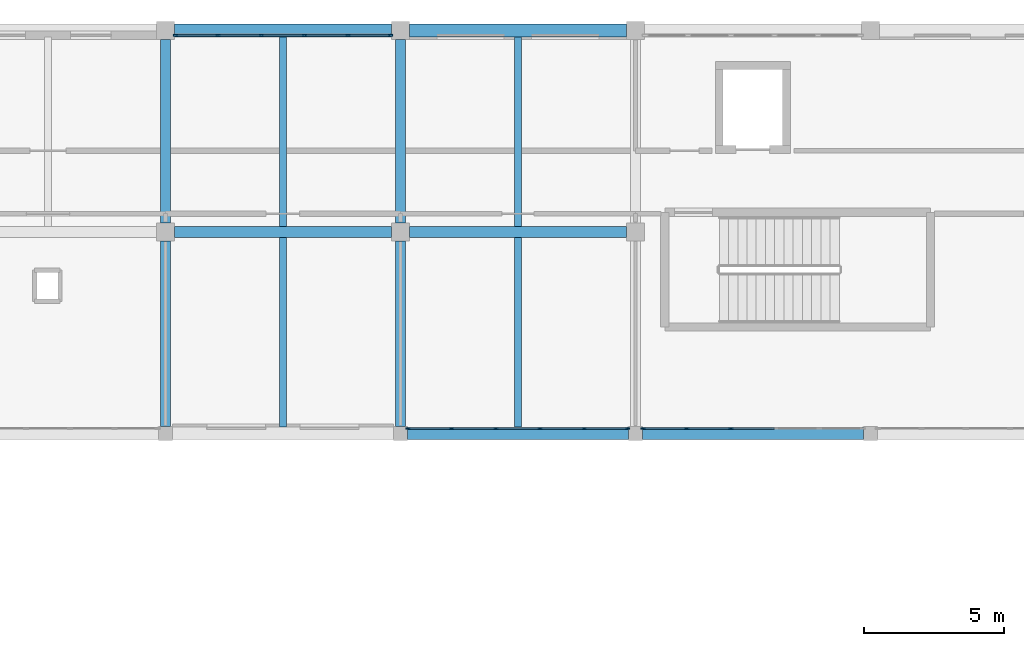
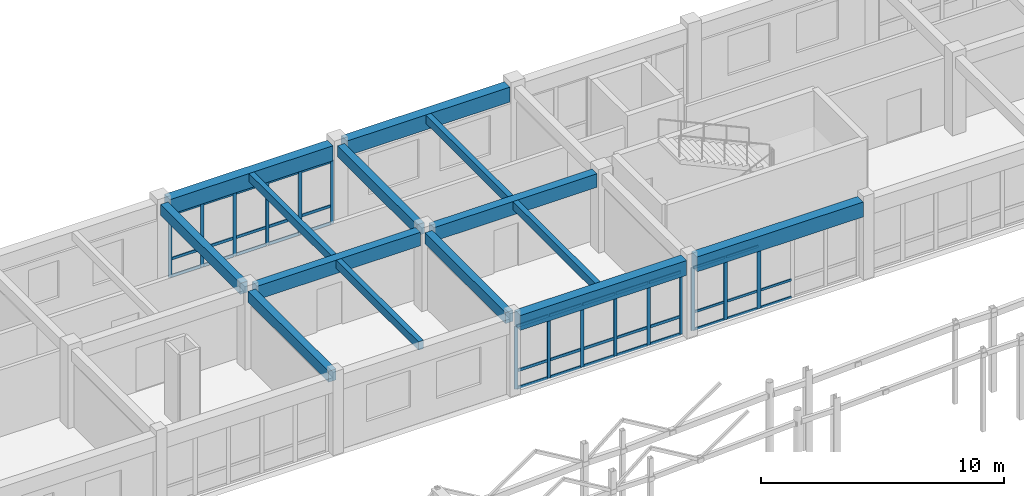
# One storey, part 37 of 89: 53 members, 14 beams, 3 elements without a shape of their own.
"""IFC4 building model written with IfcOpenShell, lengths in metres."""

from ifc_helpers import new_model, si_unit, direction, frame, origin, origin_2d, place, context, subcontext, project, spatial, rectangle, extrude, material, material_profile, profile_set, type_object, element, aggregate, save


model = new_model("IFC4")

# Units and contexts
model_context = context("Model", 3, precision=1e-05, world=origin(), true_north=direction((0.0, 1.0)))
body_context = subcontext(model_context, "Body", "Model", "MODEL_VIEW")
ifc_project = project(units=[si_unit("LENGTHUNIT", "METRE"), si_unit("AREAUNIT", "SQUARE_METRE"), si_unit("VOLUMEUNIT", "CUBIC_METRE"), si_unit("PLANEANGLEUNIT", "RADIAN"), si_unit("MASSUNIT", "GRAM", prefix="KILO")], contexts=[model_context])

# Site, building, storey
site_placement = place(None, origin())
site = spatial("IfcSite", under=ifc_project, at=site_placement, CompositionType="ELEMENT")
building_placement = place(site_placement, origin())
building = spatial("IfcBuilding", under=site, at=building_placement, Name="Malvenik Polytechnic", CompositionType="ELEMENT")
storey_placement = place(building_placement, frame((0.0, 0.0, 13.5)))
storey = spatial("IfcBuildingStorey", under=building, at=storey_placement, Name="L03", CompositionType="ELEMENT", Elevation=13.5)

# Curtain wall, members
ifc_material_1 = material(Name="Anodised aluminium 6060-T6", Category="aluminium")
curtain_wall_type = type_object("IfcCurtainWallType", Name="ARC-CW-CW-02", PredefinedType="NOTDEFINED", material=ifc_material_1)
curtain_wall_1_placement = place(storey_placement, origin())
curtain_wall_1 = element("IfcCurtainWall", 1, at=curtain_wall_1_placement, inside=storey, type_object=curtain_wall_type, Name="Unitised Curtain Wall CW-02 L03 #170", PredefinedType="NOTDEFINED")
ifc_material_2 = material(Name="Anodised aluminium", Category="aluminium")
ifc_material_profile_1 = material_profile(ifc_material_2, rectangle(XDim=0.06005859375, YDim=0.159912109375, at=origin_2d()), Name="ALU MULLION 60x160")
ifc_profile_set_1 = profile_set([ifc_material_profile_1], Name="Anodised aluminium")
member_type_1 = type_object("IfcMemberType", Name="ARC-CWM-160", PredefinedType="MULLION", material=ifc_profile_set_1)
member_1_placement = place(storey_placement, frame((50.1220703125, 115.3701171875, 0.0), z_axis=(0.0, 0.0, 1.0), x_axis=(0.0, -1.0, 0.0)))
member_1 = element("IfcMember", 2, at=member_1_placement, type_object=member_type_1, Name="CW-02 mullion 1", PredefinedType="MULLION", context=body_context, shape_type="SweptSolid", body=[
    extrude(rectangle(XDim=0.06005859375, YDim=0.159912109375, at=origin_2d()), origin(), (0.0, 0.0, 1.0), 3.159912109375),
])
member_2_placement = place(storey_placement, frame((48.5712890625, 115.3701171875, 0.0), z_axis=(0.0, 0.0, 1.0), x_axis=(0.0, -1.0, 0.0)))
member_2 = element("IfcMember", 3, at=member_2_placement, type_object=member_type_1, Name="CW-02 mullion 2", PredefinedType="MULLION", context=body_context, shape_type="SweptSolid", body=[
    extrude(rectangle(XDim=0.06005859375, YDim=0.159912109375, at=origin_2d()), origin(), (0.0, 0.0, 1.0), 3.159912109375),
])
member_3_placement = place(storey_placement, frame((46.990478515625, 115.3701171875, 0.0), z_axis=(0.0, 0.0, 1.0), x_axis=(0.0, -1.0, 0.0)))
member_3 = element("IfcMember", 4, at=member_3_placement, type_object=member_type_1, Name="CW-02 mullion 3", PredefinedType="MULLION", context=body_context, shape_type="SweptSolid", body=[
    extrude(rectangle(XDim=0.06005859375, YDim=0.159912109375, at=origin_2d()), origin(), (0.0, 0.0, 1.0), 3.159912109375),
])
member_4_placement = place(storey_placement, frame((45.40966796875, 115.3701171875, 0.0), z_axis=(0.0, 0.0, 1.0), x_axis=(0.0, -1.0, 0.0)))
member_4 = element("IfcMember", 5, at=member_4_placement, type_object=member_type_1, Name="CW-02 mullion 4", PredefinedType="MULLION", context=body_context, shape_type="SweptSolid", body=[
    extrude(rectangle(XDim=0.06005859375, YDim=0.159912109375, at=origin_2d()), origin(), (0.0, 0.0, 1.0), 3.159912109375),
])
member_5_placement = place(storey_placement, frame((43.828857421875, 115.3701171875, 0.0), z_axis=(0.0, 0.0, 1.0), x_axis=(0.0, -1.0, 0.0)))
member_5 = element("IfcMember", 6, at=member_5_placement, type_object=member_type_1, Name="CW-02 mullion 5", PredefinedType="MULLION", context=body_context, shape_type="SweptSolid", body=[
    extrude(rectangle(XDim=0.06005859375, YDim=0.159912109375, at=origin_2d()), origin(), (0.0, 0.0, 1.0), 3.159912109375),
])
member_6_placement = place(storey_placement, frame((42.278076171875, 115.3701171875, 0.0), z_axis=(0.0, 0.0, 1.0), x_axis=(0.0, -1.0, 0.0)))
member_6 = element("IfcMember", 7, at=member_6_placement, type_object=member_type_1, Name="CW-02 mullion 6", PredefinedType="MULLION", context=body_context, shape_type="SweptSolid", body=[
    extrude(rectangle(XDim=0.06005859375, YDim=0.159912109375, at=origin_2d()), origin(), (0.0, 0.0, 1.0), 3.159912109375),
])

curtain_wall_2_placement = place(storey_placement, origin())
curtain_wall_2 = element("IfcCurtainWall", 8, at=curtain_wall_2_placement, inside=storey, type_object=curtain_wall_type, Name="Unitised Curtain Wall CW-02 L03 #176", PredefinedType="NOTDEFINED")
member_7_placement = place(storey_placement, frame((33.952880859375, 129.429931640625, 0.0), z_axis=(0.0, 0.0, 1.0), x_axis=(0.0, 1.0, 0.0)))
member_7 = element("IfcMember", 9, at=member_7_placement, type_object=member_type_1, Name="CW-02 mullion 1", PredefinedType="MULLION", context=body_context, shape_type="SweptSolid", body=[
    extrude(rectangle(XDim=0.06005859375, YDim=0.159912109375, at=origin_2d()), origin(), (0.0, 0.0, 1.0), 3.159912109375),
])
member_8_placement = place(storey_placement, frame((35.473876953125, 129.429931640625, 0.0), z_axis=(0.0, 0.0, 1.0), x_axis=(0.0, 1.0, 0.0)))
member_8 = element("IfcMember", 10, at=member_8_placement, type_object=member_type_1, Name="CW-02 mullion 2", PredefinedType="MULLION", context=body_context, shape_type="SweptSolid", body=[
    extrude(rectangle(XDim=0.06005859375, YDim=0.159912109375, at=origin_2d()), origin(), (0.0, 0.0, 1.0), 3.159912109375),
])
member_9_placement = place(storey_placement, frame((37.024658203125, 129.429931640625, 0.0), z_axis=(0.0, 0.0, 1.0), x_axis=(0.0, 1.0, 0.0)))
member_9 = element("IfcMember", 11, at=member_9_placement, type_object=member_type_1, Name="CW-02 mullion 3", PredefinedType="MULLION", context=body_context, shape_type="SweptSolid", body=[
    extrude(rectangle(XDim=0.06005859375, YDim=0.159912109375, at=origin_2d()), origin(), (0.0, 0.0, 1.0), 3.159912109375),
])
member_10_placement = place(storey_placement, frame((38.575439453125, 129.429931640625, 0.0), z_axis=(0.0, 0.0, 1.0), x_axis=(0.0, 1.0, 0.0)))
member_10 = element("IfcMember", 12, at=member_10_placement, type_object=member_type_1, Name="CW-02 mullion 4", PredefinedType="MULLION", context=body_context, shape_type="SweptSolid", body=[
    extrude(rectangle(XDim=0.06005859375, YDim=0.159912109375, at=origin_2d()), origin(), (0.0, 0.0, 1.0), 3.159912109375),
])
member_11_placement = place(storey_placement, frame((40.126220703125, 129.429931640625, 0.0), z_axis=(0.0, 0.0, 1.0), x_axis=(0.0, 1.0, 0.0)))
member_11 = element("IfcMember", 13, at=member_11_placement, type_object=member_type_1, Name="CW-02 mullion 5", PredefinedType="MULLION", context=body_context, shape_type="SweptSolid", body=[
    extrude(rectangle(XDim=0.06005859375, YDim=0.159912109375, at=origin_2d()), origin(), (0.0, 0.0, 1.0), 3.159912109375),
])
member_12_placement = place(storey_placement, frame((41.64697265625, 129.429931640625, 0.0), z_axis=(0.0, 0.0, 1.0), x_axis=(0.0, 1.0, 0.0)))
member_12 = element("IfcMember", 14, at=member_12_placement, type_object=member_type_1, Name="CW-02 mullion 6", PredefinedType="MULLION", context=body_context, shape_type="SweptSolid", body=[
    extrude(rectangle(XDim=0.06005859375, YDim=0.159912109375, at=origin_2d()), origin(), (0.0, 0.0, 1.0), 3.159912109375),
])

curtain_wall_3_placement = place(storey_placement, origin())
curtain_wall_3 = element("IfcCurtainWall", 15, at=curtain_wall_3_placement, inside=storey, type_object=curtain_wall_type, Name="Unitised Curtain Wall CW-02 L03 #169", PredefinedType="NOTDEFINED")
ifc_material_profile_2 = material_profile(ifc_material_2, rectangle(XDim=0.06005859375, YDim=0.179931640625, at=origin_2d()), Name="ALU MULLION 60x180")
ifc_profile_set_2 = profile_set([ifc_material_profile_2], Name="Anodised aluminium")
member_type_2 = type_object("IfcMemberType", Name="ARC-CWM-180", PredefinedType="MULLION", material=ifc_profile_set_2)
member_13_placement = place(storey_placement, frame((53.8095703125, 115.3701171875, 0.0), z_axis=(0.0, 0.0, 1.0), x_axis=(0.0, -1.0, 0.0)))
member_13 = element("IfcMember", 16, at=member_13_placement, type_object=member_type_2, Name="CW-02 mullion 4", PredefinedType="MULLION", context=body_context, shape_type="SweptSolid", body=[
    extrude(rectangle(XDim=0.06005859375, YDim=0.179931640625, at=origin_2d()), origin(), (0.0, 0.0, 1.0), 3.159912109375),
])
member_14_placement = place(storey_placement, frame((52.228759765625, 115.3701171875, 0.0), z_axis=(0.0, 0.0, 1.0), x_axis=(0.0, -1.0, 0.0)))
member_14 = element("IfcMember", 17, at=member_14_placement, type_object=member_type_2, Name="CW-02 mullion 5", PredefinedType="MULLION", context=body_context, shape_type="SweptSolid", body=[
    extrude(rectangle(XDim=0.06005859375, YDim=0.179931640625, at=origin_2d()), origin(), (0.0, 0.0, 1.0), 3.159912109375),
])
member_15_placement = place(storey_placement, frame((50.677978515625, 115.3701171875, 0.0), z_axis=(0.0, 0.0, 1.0), x_axis=(0.0, -1.0, 0.0)))
member_15 = element("IfcMember", 18, at=member_15_placement, type_object=member_type_2, Name="CW-02 mullion 6", PredefinedType="MULLION", context=body_context, shape_type="SweptSolid", body=[
    extrude(rectangle(XDim=0.06005859375, YDim=0.179931640625, at=origin_2d()), origin(), (0.0, 0.0, 1.0), 3.159912109375),
])
ifc_material_profile_3 = material_profile(ifc_material_2, rectangle(XDim=0.06005859375, YDim=0.1201171875, at=origin_2d()), Name="ALU TRANSOM 60x120")
ifc_profile_set_3 = profile_set([ifc_material_profile_3], Name="Anodised aluminium")
member_type_3 = type_object("IfcMemberType", Name="ARC-CWT-120", PredefinedType="USERDEFINED", material=ifc_profile_set_3)
member_16_placement = place(storey_placement, frame((55.3603515625, 115.3701171875, 0.030029296875), z_axis=(-1.0, 0.0, 0.0), x_axis=(0.0, -1.0, 0.0)))
member_16 = element("IfcMember", 19, at=member_16_placement, type_object=member_type_3, Name="CW-02 transom 3.1", ObjectType="TRANSOM", PredefinedType="USERDEFINED", context=body_context, shape_type="SweptSolid", body=[
    extrude(rectangle(XDim=0.06005859375, YDim=0.1201171875, at=origin_2d()), origin(), (0.0, 0.0, 1.0), 1.520751953125),
])
member_17_placement = place(storey_placement, frame((55.3603515625, 115.3701171875, 0.89990234375), z_axis=(-1.0, 0.0, 0.0), x_axis=(0.0, -1.0, 0.0)))
member_17 = element("IfcMember", 20, at=member_17_placement, type_object=member_type_3, Name="CW-02 transom 3.2", ObjectType="TRANSOM", PredefinedType="USERDEFINED", context=body_context, shape_type="SweptSolid", body=[
    extrude(rectangle(XDim=0.06005859375, YDim=0.1201171875, at=origin_2d()), origin(), (0.0, 0.0, 1.0), 1.520751953125),
])
member_18_placement = place(storey_placement, frame((53.779541015625, 115.3701171875, 0.030029296875), z_axis=(-1.0, 0.0, 0.0), x_axis=(0.0, -1.0, 0.0)))
member_18 = element("IfcMember", 21, at=member_18_placement, type_object=member_type_3, Name="CW-02 transom 4.1", ObjectType="TRANSOM", PredefinedType="USERDEFINED", context=body_context, shape_type="SweptSolid", body=[
    extrude(rectangle(XDim=0.06005859375, YDim=0.1201171875, at=origin_2d()), origin(), (0.0, 0.0, 1.0), 1.520751953125),
])
member_19_placement = place(storey_placement, frame((53.779541015625, 115.3701171875, 0.89990234375), z_axis=(-1.0, 0.0, 0.0), x_axis=(0.0, -1.0, 0.0)))
member_19 = element("IfcMember", 22, at=member_19_placement, type_object=member_type_3, Name="CW-02 transom 4.2", ObjectType="TRANSOM", PredefinedType="USERDEFINED", context=body_context, shape_type="SweptSolid", body=[
    extrude(rectangle(XDim=0.06005859375, YDim=0.1201171875, at=origin_2d()), origin(), (0.0, 0.0, 1.0), 1.520751953125),
])
member_20_placement = place(storey_placement, frame((53.779541015625, 115.3701171875, 3.1298828125), z_axis=(-1.0, 0.0, 0.0), x_axis=(0.0, -1.0, 0.0)))
member_20 = element("IfcMember", 23, at=member_20_placement, type_object=member_type_3, Name="CW-02 transom 4.3", ObjectType="TRANSOM", PredefinedType="USERDEFINED", context=body_context, shape_type="SweptSolid", body=[
    extrude(rectangle(XDim=0.06005859375, YDim=0.1201171875, at=origin_2d()), origin(), (0.0, 0.0, 1.0), 1.520751953125),
])
member_21_placement = place(storey_placement, frame((52.19873046875, 115.3701171875, 0.030029296875), z_axis=(-1.0, 0.0, 0.0), x_axis=(0.0, -1.0, 0.0)))
member_21 = element("IfcMember", 24, at=member_21_placement, type_object=member_type_3, Name="CW-02 transom 5.1", ObjectType="TRANSOM", PredefinedType="USERDEFINED", context=body_context, shape_type="SweptSolid", body=[
    extrude(rectangle(XDim=0.06005859375, YDim=0.1201171875, at=origin_2d()), origin(), (0.0, 0.0, 1.0), 1.49072265625),
])
member_22_placement = place(storey_placement, frame((52.19873046875, 115.3701171875, 0.89990234375), z_axis=(-1.0, 0.0, 0.0), x_axis=(0.0, -1.0, 0.0)))
member_22 = element("IfcMember", 25, at=member_22_placement, type_object=member_type_3, Name="CW-02 transom 5.2", ObjectType="TRANSOM", PredefinedType="USERDEFINED", context=body_context, shape_type="SweptSolid", body=[
    extrude(rectangle(XDim=0.06005859375, YDim=0.1201171875, at=origin_2d()), origin(), (0.0, 0.0, 1.0), 1.49072265625),
])
member_23_placement = place(storey_placement, frame((52.19873046875, 115.3701171875, 3.1298828125), z_axis=(-1.0, 0.0, 0.0), x_axis=(0.0, -1.0, 0.0)))
member_23 = element("IfcMember", 26, at=member_23_placement, type_object=member_type_3, Name="CW-02 transom 5.3", ObjectType="TRANSOM", PredefinedType="USERDEFINED", context=body_context, shape_type="SweptSolid", body=[
    extrude(rectangle(XDim=0.06005859375, YDim=0.1201171875, at=origin_2d()), origin(), (0.0, 0.0, 1.0), 1.49072265625),
])
aggregate(curtain_wall_3, [member_13, member_14, member_15, member_16, member_17, member_18, member_19, member_20, member_21, member_22, member_23])

# Member
ifc_material_profile_4 = material_profile(ifc_material_2, rectangle(XDim=0.06005859375, YDim=0.139892578125, at=origin_2d()), Name="ALU TRANSOM 60x140")
ifc_profile_set_4 = profile_set([ifc_material_profile_4], Name="Anodised aluminium")
member_type_4 = type_object("IfcMemberType", Name="ARC-CWT-140", PredefinedType="USERDEFINED", material=ifc_profile_set_4)
member_24_placement = place(storey_placement, frame((50.092041015625, 115.3701171875, 0.030029296875), z_axis=(-1.0, 0.0, 0.0), x_axis=(0.0, -1.0, 0.0)))
member_24 = element("IfcMember", 27, at=member_24_placement, type_object=member_type_4, Name="CW-02 transom 1.1", ObjectType="TRANSOM", PredefinedType="USERDEFINED", context=body_context, shape_type="SweptSolid", body=[
    extrude(rectangle(XDim=0.06005859375, YDim=0.139892578125, at=origin_2d()), origin(), (0.0, 0.0, 1.0), 1.49072265625),
])

member_25_placement = place(storey_placement, frame((50.092041015625, 115.3701171875, 0.89990234375), z_axis=(-1.0, 0.0, 0.0), x_axis=(0.0, -1.0, 0.0)))
member_25 = element("IfcMember", 28, at=member_25_placement, type_object=member_type_4, Name="CW-02 transom 1.2", ObjectType="TRANSOM", PredefinedType="USERDEFINED", context=body_context, shape_type="SweptSolid", body=[
    extrude(rectangle(XDim=0.06005859375, YDim=0.139892578125, at=origin_2d()), origin(), (0.0, 0.0, 1.0), 1.49072265625),
])

member_26_placement = place(storey_placement, frame((50.092041015625, 115.3701171875, 3.1298828125), z_axis=(-1.0, 0.0, 0.0), x_axis=(0.0, -1.0, 0.0)))
member_26 = element("IfcMember", 29, at=member_26_placement, type_object=member_type_4, Name="CW-02 transom 1.3", ObjectType="TRANSOM", PredefinedType="USERDEFINED", context=body_context, shape_type="SweptSolid", body=[
    extrude(rectangle(XDim=0.06005859375, YDim=0.139892578125, at=origin_2d()), origin(), (0.0, 0.0, 1.0), 1.49072265625),
])

member_27_placement = place(storey_placement, frame((48.541259765625, 115.3701171875, 0.030029296875), z_axis=(-1.0, 0.0, 0.0), x_axis=(0.0, -1.0, 0.0)))
member_27 = element("IfcMember", 30, at=member_27_placement, type_object=member_type_4, Name="CW-02 transom 2.1", ObjectType="TRANSOM", PredefinedType="USERDEFINED", context=body_context, shape_type="SweptSolid", body=[
    extrude(rectangle(XDim=0.06005859375, YDim=0.139892578125, at=origin_2d()), origin(), (0.0, 0.0, 1.0), 1.520751953125),
])

member_28_placement = place(storey_placement, frame((48.541259765625, 115.3701171875, 0.89990234375), z_axis=(-1.0, 0.0, 0.0), x_axis=(0.0, -1.0, 0.0)))
member_28 = element("IfcMember", 31, at=member_28_placement, type_object=member_type_4, Name="CW-02 transom 2.2", ObjectType="TRANSOM", PredefinedType="USERDEFINED", context=body_context, shape_type="SweptSolid", body=[
    extrude(rectangle(XDim=0.06005859375, YDim=0.139892578125, at=origin_2d()), origin(), (0.0, 0.0, 1.0), 1.520751953125),
])

member_29_placement = place(storey_placement, frame((48.541259765625, 115.3701171875, 3.1298828125), z_axis=(-1.0, 0.0, 0.0), x_axis=(0.0, -1.0, 0.0)))
member_29 = element("IfcMember", 32, at=member_29_placement, type_object=member_type_4, Name="CW-02 transom 2.3", ObjectType="TRANSOM", PredefinedType="USERDEFINED", context=body_context, shape_type="SweptSolid", body=[
    extrude(rectangle(XDim=0.06005859375, YDim=0.139892578125, at=origin_2d()), origin(), (0.0, 0.0, 1.0), 1.520751953125),
])

member_30_placement = place(storey_placement, frame((46.96044921875, 115.3701171875, 0.030029296875), z_axis=(-1.0, 0.0, 0.0), x_axis=(0.0, -1.0, 0.0)))
member_30 = element("IfcMember", 33, at=member_30_placement, type_object=member_type_4, Name="CW-02 transom 3.1", ObjectType="TRANSOM", PredefinedType="USERDEFINED", context=body_context, shape_type="SweptSolid", body=[
    extrude(rectangle(XDim=0.06005859375, YDim=0.139892578125, at=origin_2d()), origin(), (0.0, 0.0, 1.0), 1.520751953125),
])

member_31_placement = place(storey_placement, frame((46.96044921875, 115.3701171875, 0.89990234375), z_axis=(-1.0, 0.0, 0.0), x_axis=(0.0, -1.0, 0.0)))
member_31 = element("IfcMember", 34, at=member_31_placement, type_object=member_type_4, Name="CW-02 transom 3.2", ObjectType="TRANSOM", PredefinedType="USERDEFINED", context=body_context, shape_type="SweptSolid", body=[
    extrude(rectangle(XDim=0.06005859375, YDim=0.139892578125, at=origin_2d()), origin(), (0.0, 0.0, 1.0), 1.520751953125),
])

member_32_placement = place(storey_placement, frame((46.96044921875, 115.3701171875, 3.1298828125), z_axis=(-1.0, 0.0, 0.0), x_axis=(0.0, -1.0, 0.0)))
member_32 = element("IfcMember", 35, at=member_32_placement, type_object=member_type_4, Name="CW-02 transom 3.3", ObjectType="TRANSOM", PredefinedType="USERDEFINED", context=body_context, shape_type="SweptSolid", body=[
    extrude(rectangle(XDim=0.06005859375, YDim=0.139892578125, at=origin_2d()), origin(), (0.0, 0.0, 1.0), 1.520751953125),
])

member_33_placement = place(storey_placement, frame((45.379638671875, 115.3701171875, 0.030029296875), z_axis=(-1.0, 0.0, 0.0), x_axis=(0.0, -1.0, 0.0)))
member_33 = element("IfcMember", 36, at=member_33_placement, type_object=member_type_4, Name="CW-02 transom 4.1", ObjectType="TRANSOM", PredefinedType="USERDEFINED", context=body_context, shape_type="SweptSolid", body=[
    extrude(rectangle(XDim=0.06005859375, YDim=0.139892578125, at=origin_2d()), origin(), (0.0, 0.0, 1.0), 1.520751953125),
])

member_34_placement = place(storey_placement, frame((45.379638671875, 115.3701171875, 0.89990234375), z_axis=(-1.0, 0.0, 0.0), x_axis=(0.0, -1.0, 0.0)))
member_34 = element("IfcMember", 37, at=member_34_placement, type_object=member_type_4, Name="CW-02 transom 4.2", ObjectType="TRANSOM", PredefinedType="USERDEFINED", context=body_context, shape_type="SweptSolid", body=[
    extrude(rectangle(XDim=0.06005859375, YDim=0.139892578125, at=origin_2d()), origin(), (0.0, 0.0, 1.0), 1.520751953125),
])

member_35_placement = place(storey_placement, frame((45.379638671875, 115.3701171875, 3.1298828125), z_axis=(-1.0, 0.0, 0.0), x_axis=(0.0, -1.0, 0.0)))
member_35 = element("IfcMember", 38, at=member_35_placement, type_object=member_type_4, Name="CW-02 transom 4.3", ObjectType="TRANSOM", PredefinedType="USERDEFINED", context=body_context, shape_type="SweptSolid", body=[
    extrude(rectangle(XDim=0.06005859375, YDim=0.139892578125, at=origin_2d()), origin(), (0.0, 0.0, 1.0), 1.520751953125),
])

member_36_placement = place(storey_placement, frame((43.798828125, 115.3701171875, 0.030029296875), z_axis=(-1.0, 0.0, 0.0), x_axis=(0.0, -1.0, 0.0)))
member_36 = element("IfcMember", 39, at=member_36_placement, type_object=member_type_4, Name="CW-02 transom 5.1", ObjectType="TRANSOM", PredefinedType="USERDEFINED", context=body_context, shape_type="SweptSolid", body=[
    extrude(rectangle(XDim=0.06005859375, YDim=0.139892578125, at=origin_2d()), origin(), (0.0, 0.0, 1.0), 1.49072265625),
])

member_37_placement = place(storey_placement, frame((43.798828125, 115.3701171875, 0.89990234375), z_axis=(-1.0, 0.0, 0.0), x_axis=(0.0, -1.0, 0.0)))
member_37 = element("IfcMember", 40, at=member_37_placement, type_object=member_type_4, Name="CW-02 transom 5.2", ObjectType="TRANSOM", PredefinedType="USERDEFINED", context=body_context, shape_type="SweptSolid", body=[
    extrude(rectangle(XDim=0.06005859375, YDim=0.139892578125, at=origin_2d()), origin(), (0.0, 0.0, 1.0), 1.49072265625),
])

member_38_placement = place(storey_placement, frame((43.798828125, 115.3701171875, 3.1298828125), z_axis=(-1.0, 0.0, 0.0), x_axis=(0.0, -1.0, 0.0)))
member_38 = element("IfcMember", 41, at=member_38_placement, type_object=member_type_4, Name="CW-02 transom 5.3", ObjectType="TRANSOM", PredefinedType="USERDEFINED", context=body_context, shape_type="SweptSolid", body=[
    extrude(rectangle(XDim=0.06005859375, YDim=0.139892578125, at=origin_2d()), origin(), (0.0, 0.0, 1.0), 1.49072265625),
])

aggregate(curtain_wall_1, [member_1, member_2, member_3, member_4, member_5, member_6, member_24, member_25, member_26, member_27, member_28, member_29, member_30, member_31, member_32, member_33, member_34, member_35, member_36, member_37, member_38])

member_39_placement = place(storey_placement, frame((33.98291015625, 129.429931640625, 0.030029296875), z_axis=(1.0, 0.0, 0.0), x_axis=(0.0, 1.0, 0.0)))
member_39 = element("IfcMember", 42, at=member_39_placement, type_object=member_type_4, Name="CW-02 transom 1.1", ObjectType="TRANSOM", PredefinedType="USERDEFINED", context=body_context, shape_type="SweptSolid", body=[
    extrude(rectangle(XDim=0.06005859375, YDim=0.139892578125, at=origin_2d()), origin(), (0.0, 0.0, 1.0), 1.4609375),
])

member_40_placement = place(storey_placement, frame((33.98291015625, 129.429931640625, 0.89990234375), z_axis=(1.0, 0.0, 0.0), x_axis=(0.0, 1.0, 0.0)))
member_40 = element("IfcMember", 43, at=member_40_placement, type_object=member_type_4, Name="CW-02 transom 1.2", ObjectType="TRANSOM", PredefinedType="USERDEFINED", context=body_context, shape_type="SweptSolid", body=[
    extrude(rectangle(XDim=0.06005859375, YDim=0.139892578125, at=origin_2d()), origin(), (0.0, 0.0, 1.0), 1.4609375),
])

member_41_placement = place(storey_placement, frame((33.98291015625, 129.429931640625, 3.1298828125), z_axis=(1.0, 0.0, 0.0), x_axis=(0.0, 1.0, 0.0)))
member_41 = element("IfcMember", 44, at=member_41_placement, type_object=member_type_4, Name="CW-02 transom 1.3", ObjectType="TRANSOM", PredefinedType="USERDEFINED", context=body_context, shape_type="SweptSolid", body=[
    extrude(rectangle(XDim=0.06005859375, YDim=0.139892578125, at=origin_2d()), origin(), (0.0, 0.0, 1.0), 1.4609375),
])

member_42_placement = place(storey_placement, frame((35.50390625, 129.429931640625, 0.030029296875), z_axis=(1.0, 0.0, 0.0), x_axis=(0.0, 1.0, 0.0)))
member_42 = element("IfcMember", 45, at=member_42_placement, type_object=member_type_4, Name="CW-02 transom 2.1", ObjectType="TRANSOM", PredefinedType="USERDEFINED", context=body_context, shape_type="SweptSolid", body=[
    extrude(rectangle(XDim=0.06005859375, YDim=0.139892578125, at=origin_2d()), origin(), (0.0, 0.0, 1.0), 1.49072265625),
])

member_43_placement = place(storey_placement, frame((35.50390625, 129.429931640625, 0.89990234375), z_axis=(1.0, 0.0, 0.0), x_axis=(0.0, 1.0, 0.0)))
member_43 = element("IfcMember", 46, at=member_43_placement, type_object=member_type_4, Name="CW-02 transom 2.2", ObjectType="TRANSOM", PredefinedType="USERDEFINED", context=body_context, shape_type="SweptSolid", body=[
    extrude(rectangle(XDim=0.06005859375, YDim=0.139892578125, at=origin_2d()), origin(), (0.0, 0.0, 1.0), 1.49072265625),
])

member_44_placement = place(storey_placement, frame((35.50390625, 129.429931640625, 3.1298828125), z_axis=(1.0, 0.0, 0.0), x_axis=(0.0, 1.0, 0.0)))
member_44 = element("IfcMember", 47, at=member_44_placement, type_object=member_type_4, Name="CW-02 transom 2.3", ObjectType="TRANSOM", PredefinedType="USERDEFINED", context=body_context, shape_type="SweptSolid", body=[
    extrude(rectangle(XDim=0.06005859375, YDim=0.139892578125, at=origin_2d()), origin(), (0.0, 0.0, 1.0), 1.49072265625),
])

member_45_placement = place(storey_placement, frame((37.0546875, 129.429931640625, 0.030029296875), z_axis=(1.0, 0.0, 0.0), x_axis=(0.0, 1.0, 0.0)))
member_45 = element("IfcMember", 48, at=member_45_placement, type_object=member_type_4, Name="CW-02 transom 3.1", ObjectType="TRANSOM", PredefinedType="USERDEFINED", context=body_context, shape_type="SweptSolid", body=[
    extrude(rectangle(XDim=0.06005859375, YDim=0.139892578125, at=origin_2d()), origin(), (0.0, 0.0, 1.0), 1.49072265625),
])

member_46_placement = place(storey_placement, frame((37.0546875, 129.429931640625, 0.89990234375), z_axis=(1.0, 0.0, 0.0), x_axis=(0.0, 1.0, 0.0)))
member_46 = element("IfcMember", 49, at=member_46_placement, type_object=member_type_4, Name="CW-02 transom 3.2", ObjectType="TRANSOM", PredefinedType="USERDEFINED", context=body_context, shape_type="SweptSolid", body=[
    extrude(rectangle(XDim=0.06005859375, YDim=0.139892578125, at=origin_2d()), origin(), (0.0, 0.0, 1.0), 1.49072265625),
])

member_47_placement = place(storey_placement, frame((37.0546875, 129.429931640625, 3.1298828125), z_axis=(1.0, 0.0, 0.0), x_axis=(0.0, 1.0, 0.0)))
member_47 = element("IfcMember", 50, at=member_47_placement, type_object=member_type_4, Name="CW-02 transom 3.3", ObjectType="TRANSOM", PredefinedType="USERDEFINED", context=body_context, shape_type="SweptSolid", body=[
    extrude(rectangle(XDim=0.06005859375, YDim=0.139892578125, at=origin_2d()), origin(), (0.0, 0.0, 1.0), 1.49072265625),
])

member_48_placement = place(storey_placement, frame((38.60546875, 129.429931640625, 0.030029296875), z_axis=(1.0, 0.0, 0.0), x_axis=(0.0, 1.0, 0.0)))
member_48 = element("IfcMember", 51, at=member_48_placement, type_object=member_type_4, Name="CW-02 transom 4.1", ObjectType="TRANSOM", PredefinedType="USERDEFINED", context=body_context, shape_type="SweptSolid", body=[
    extrude(rectangle(XDim=0.06005859375, YDim=0.139892578125, at=origin_2d()), origin(), (0.0, 0.0, 1.0), 1.49072265625),
])

member_49_placement = place(storey_placement, frame((38.60546875, 129.429931640625, 0.89990234375), z_axis=(1.0, 0.0, 0.0), x_axis=(0.0, 1.0, 0.0)))
member_49 = element("IfcMember", 52, at=member_49_placement, type_object=member_type_4, Name="CW-02 transom 4.2", ObjectType="TRANSOM", PredefinedType="USERDEFINED", context=body_context, shape_type="SweptSolid", body=[
    extrude(rectangle(XDim=0.06005859375, YDim=0.139892578125, at=origin_2d()), origin(), (0.0, 0.0, 1.0), 1.49072265625),
])

member_50_placement = place(storey_placement, frame((38.60546875, 129.429931640625, 3.1298828125), z_axis=(1.0, 0.0, 0.0), x_axis=(0.0, 1.0, 0.0)))
member_50 = element("IfcMember", 53, at=member_50_placement, type_object=member_type_4, Name="CW-02 transom 4.3", ObjectType="TRANSOM", PredefinedType="USERDEFINED", context=body_context, shape_type="SweptSolid", body=[
    extrude(rectangle(XDim=0.06005859375, YDim=0.139892578125, at=origin_2d()), origin(), (0.0, 0.0, 1.0), 1.49072265625),
])

member_51_placement = place(storey_placement, frame((40.15625, 129.429931640625, 0.030029296875), z_axis=(1.0, 0.0, 0.0), x_axis=(0.0, 1.0, 0.0)))
member_51 = element("IfcMember", 54, at=member_51_placement, type_object=member_type_4, Name="CW-02 transom 5.1", ObjectType="TRANSOM", PredefinedType="USERDEFINED", context=body_context, shape_type="SweptSolid", body=[
    extrude(rectangle(XDim=0.06005859375, YDim=0.139892578125, at=origin_2d()), origin(), (0.0, 0.0, 1.0), 1.460693359375),
])

member_52_placement = place(storey_placement, frame((40.15625, 129.429931640625, 0.89990234375), z_axis=(1.0, 0.0, 0.0), x_axis=(0.0, 1.0, 0.0)))
member_52 = element("IfcMember", 55, at=member_52_placement, type_object=member_type_4, Name="CW-02 transom 5.2", ObjectType="TRANSOM", PredefinedType="USERDEFINED", context=body_context, shape_type="SweptSolid", body=[
    extrude(rectangle(XDim=0.06005859375, YDim=0.139892578125, at=origin_2d()), origin(), (0.0, 0.0, 1.0), 1.460693359375),
])

member_53_placement = place(storey_placement, frame((40.15625, 129.429931640625, 3.1298828125), z_axis=(1.0, 0.0, 0.0), x_axis=(0.0, 1.0, 0.0)))
member_53 = element("IfcMember", 56, at=member_53_placement, type_object=member_type_4, Name="CW-02 transom 5.3", ObjectType="TRANSOM", PredefinedType="USERDEFINED", context=body_context, shape_type="SweptSolid", body=[
    extrude(rectangle(XDim=0.06005859375, YDim=0.139892578125, at=origin_2d()), origin(), (0.0, 0.0, 1.0), 1.460693359375),
])

aggregate(curtain_wall_2, [member_7, member_8, member_9, member_10, member_11, member_12, member_39, member_40, member_41, member_42, member_43, member_44, member_45, member_46, member_47, member_48, member_49, member_50, member_51, member_52, member_53])

# Beams
ifc_material_3 = material(Name="Concrete C35/45", Category="concrete")
ifc_material_profile_5 = material_profile(ifc_material_3, rectangle(XDim=0.39990234375, YDim=0.679931640625, at=origin_2d()), Name="RC BM 400x680")
ifc_profile_set_5 = profile_set([ifc_material_profile_5], Name="Concrete C35/45")
beam_type_1 = type_object("IfcBeamType", Name="STR-BM-B-05", PredefinedType="BEAM", material=ifc_profile_set_5)
for number, where, z_axis, x_axis, name in (
    (57, (33.923095703125, 122.39990234375, 3.580078125), (1.0, 0.0, 0.0), (0.0, 1.0, 0.0), "Primary Beam B-05 L03 #1695"),
    (58, (42.322998046875, 122.39990234375, 3.580078125), (1.0, 0.0, 0.0), (0.0, 1.0, 0.0), "Primary Beam B-05 L03 #1696"),
):
    element("IfcBeam", number, at=place(storey_placement, frame(where, z_axis=z_axis, x_axis=x_axis)), inside=storey, type_object=beam_type_1, Name=name, PredefinedType="BEAM", context=body_context, shape_type="SweptSolid", body=[
        extrude(rectangle(XDim=0.39990234375, YDim=0.679931640625, at=origin_2d()), origin(), (0.0, 0.0, 1.0), 7.75390625),
    ])
ifc_material_profile_6 = material_profile(ifc_material_3, rectangle(XDim=0.35009765625, YDim=0.550048828125, at=origin_2d()), Name="RC BM 350x550")
ifc_profile_set_6 = profile_set([ifc_material_profile_6], Name="Concrete C35/45")
beam_type_2 = type_object("IfcBeamType", Name="STR-BM-B-08", PredefinedType="BEAM", material=ifc_profile_set_6)
beam_1_placement = place(storey_placement, frame((33.60009765625, 115.447998046875, 3.64501953125), z_axis=(0.0, 1.0, 0.0), x_axis=(-1.0, 0.0, 0.0)))
element("IfcBeam", 59, at=beam_1_placement, inside=storey, type_object=beam_type_2, Name="Transverse Beam B-08 L03 #1737", PredefinedType="BEAM", context=body_context, shape_type="SweptSolid", body=[
    extrude(rectangle(XDim=0.35009765625, YDim=0.550048828125, at=origin_2d()), origin(), (0.0, 0.0, 1.0), 6.62890625),
])
beam_2_placement = place(storey_placement, frame((33.60009765625, 122.722900390625, 3.64501953125), z_axis=(0.0, 1.0, 0.0), x_axis=(-1.0, 0.0, 0.0)))
element("IfcBeam", 60, at=beam_2_placement, inside=storey, type_object=beam_type_2, Name="Transverse Beam B-08 L03 #1738", PredefinedType="BEAM", context=body_context, shape_type="SweptSolid", body=[
    extrude(rectangle(XDim=0.35009765625, YDim=0.550048828125, at=origin_2d()), origin(), (0.0, 0.0, 1.0), 6.55419921875),
])
beam_3_placement = place(storey_placement, frame((42.0, 115.447998046875, 3.64501953125), z_axis=(0.0, 1.0, 0.0), x_axis=(-1.0, 0.0, 0.0)))
element("IfcBeam", 61, at=beam_3_placement, inside=storey, type_object=beam_type_2, Name="Transverse Beam B-08 L03 #1741", PredefinedType="BEAM", context=body_context, shape_type="SweptSolid", body=[
    extrude(rectangle(XDim=0.35009765625, YDim=0.550048828125, at=origin_2d()), origin(), (0.0, 0.0, 1.0), 6.62890625),
])
beam_4_placement = place(storey_placement, frame((42.0, 122.722900390625, 3.64501953125), z_axis=(0.0, 1.0, 0.0), x_axis=(-1.0, 0.0, 0.0)))
element("IfcBeam", 62, at=beam_4_placement, inside=storey, type_object=beam_type_2, Name="Transverse Beam B-08 L03 #1742", PredefinedType="BEAM", context=body_context, shape_type="SweptSolid", body=[
    extrude(rectangle(XDim=0.35009765625, YDim=0.550048828125, at=origin_2d()), origin(), (0.0, 0.0, 1.0), 6.55419921875),
])
ifc_material_4 = material(Name="Concrete C30/37", Category="concrete")
ifc_material_profile_7 = material_profile(ifc_material_4, rectangle(XDim=0.239990234375, YDim=0.419921875, at=origin_2d()), Name="RC JST 240x420")
ifc_profile_set_7 = profile_set([ifc_material_profile_7], Name="Concrete C30/37")
beam_type_3 = type_object("IfcBeamType", Name="STR-BM-J-03", PredefinedType="JOIST", material=ifc_profile_set_7)
beam_5_placement = place(storey_placement, frame((37.800048828125, 115.427978515625, 3.7099609375), z_axis=(0.0, 1.0, 0.0), x_axis=(-1.0, 0.0, 0.0)))
element("IfcBeam", 63, at=beam_5_placement, inside=storey, type_object=beam_type_3, Name="Secondary Rib Joist J-03 L03 #1794", PredefinedType="JOIST", context=body_context, shape_type="SweptSolid", body=[
    extrude(rectangle(XDim=0.239990234375, YDim=0.419921875, at=origin_2d()), origin(), (0.0, 0.0, 1.0), 6.77392578125),
])
beam_6_placement = place(storey_placement, frame((37.800048828125, 122.597900390625, 3.7099609375), z_axis=(0.0, 1.0, 0.0), x_axis=(-1.0, 0.0, 0.0)))
element("IfcBeam", 64, at=beam_6_placement, inside=storey, type_object=beam_type_3, Name="Secondary Rib Joist J-03 L03 #1795", PredefinedType="JOIST", context=body_context, shape_type="SweptSolid", body=[
    extrude(rectangle(XDim=0.239990234375, YDim=0.419921875, at=origin_2d()), origin(), (0.0, 0.0, 1.0), 6.774169921875),
])
beam_7_placement = place(storey_placement, frame((46.199951171875, 115.427978515625, 3.7099609375), z_axis=(0.0, 1.0, 0.0), x_axis=(-1.0, 0.0, 0.0)))
element("IfcBeam", 65, at=beam_7_placement, inside=storey, type_object=beam_type_3, Name="Secondary Rib Joist J-03 L03 #1798", PredefinedType="JOIST", context=body_context, shape_type="SweptSolid", body=[
    extrude(rectangle(XDim=0.239990234375, YDim=0.419921875, at=origin_2d()), origin(), (0.0, 0.0, 1.0), 6.77392578125),
])
beam_8_placement = place(storey_placement, frame((46.199951171875, 122.597900390625, 3.7099609375), z_axis=(0.0, 1.0, 0.0), x_axis=(-1.0, 0.0, 0.0)))
element("IfcBeam", 66, at=beam_8_placement, inside=storey, type_object=beam_type_3, Name="Secondary Rib Joist J-03 L03 #1799", PredefinedType="JOIST", context=body_context, shape_type="SweptSolid", body=[
    extrude(rectangle(XDim=0.239990234375, YDim=0.419921875, at=origin_2d()), origin(), (0.0, 0.0, 1.0), 6.774169921875),
])
ifc_material_5 = material(Name="Precast concrete C40/50", Category="concrete")
ifc_material_profile_8 = material_profile(ifc_material_5, rectangle(XDim=0.4599609375, YDim=0.75, at=origin_2d()), Name="PC SPN 460x750")
ifc_profile_set_8 = profile_set([ifc_material_profile_8], Name="Precast concrete C40/50")
beam_type_4 = type_object("IfcBeamType", Name="STR-BM-SP-02", PredefinedType="SPANDREL", material=ifc_profile_set_8)
for number, where, z_axis, x_axis, name in (
    (67, (42.248046875, 115.199951171875, 3.544921875), (1.0, 0.0, 0.0), (0.0, 1.0, 0.0), "Primary Beam SP-02 L03 #1682"),
    (68, (50.64794921875, 115.199951171875, 3.544921875), (1.0, 0.0, 0.0), (0.0, 1.0, 0.0), "Primary Beam SP-02 L03 #1683"),
):
    element("IfcBeam", number, at=place(storey_placement, frame(where, z_axis=z_axis, x_axis=x_axis)), inside=storey, type_object=beam_type_4, Name=name, PredefinedType="SPANDREL", context=body_context, shape_type="SweptSolid", body=[
        extrude(rectangle(XDim=0.4599609375, YDim=0.75, at=origin_2d()), origin(), (0.0, 0.0, 1.0), 7.904052734375),
    ])
for number, where, z_axis, x_axis, name in (
    (69, (33.923095703125, 129.60009765625, 3.544921875), (1.0, 0.0, 0.0), (0.0, 1.0, 0.0), "Primary Beam SP-02 L03 #1707"),
    (70, (42.322998046875, 129.60009765625, 3.544921875), (1.0, 0.0, 0.0), (0.0, 1.0, 0.0), "Primary Beam SP-02 L03 #1708"),
):
    element("IfcBeam", number, at=place(storey_placement, frame(where, z_axis=z_axis, x_axis=x_axis)), inside=storey, type_object=beam_type_4, Name=name, PredefinedType="SPANDREL", context=body_context, shape_type="SweptSolid", body=[
        extrude(rectangle(XDim=0.4599609375, YDim=0.75, at=origin_2d()), origin(), (0.0, 0.0, 1.0), 7.75390625),
    ])

save(model, "model.ifc")
